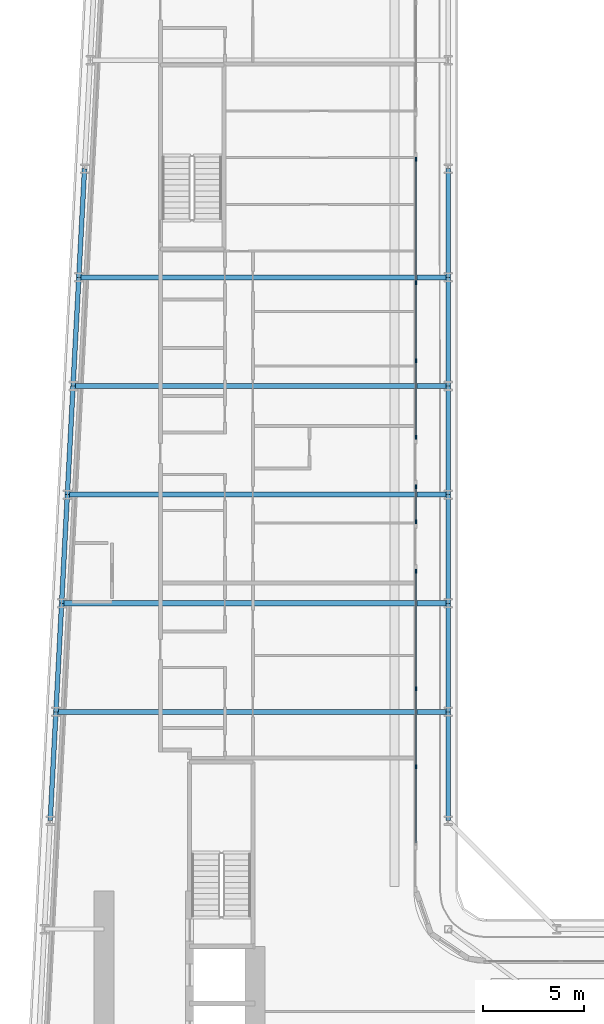
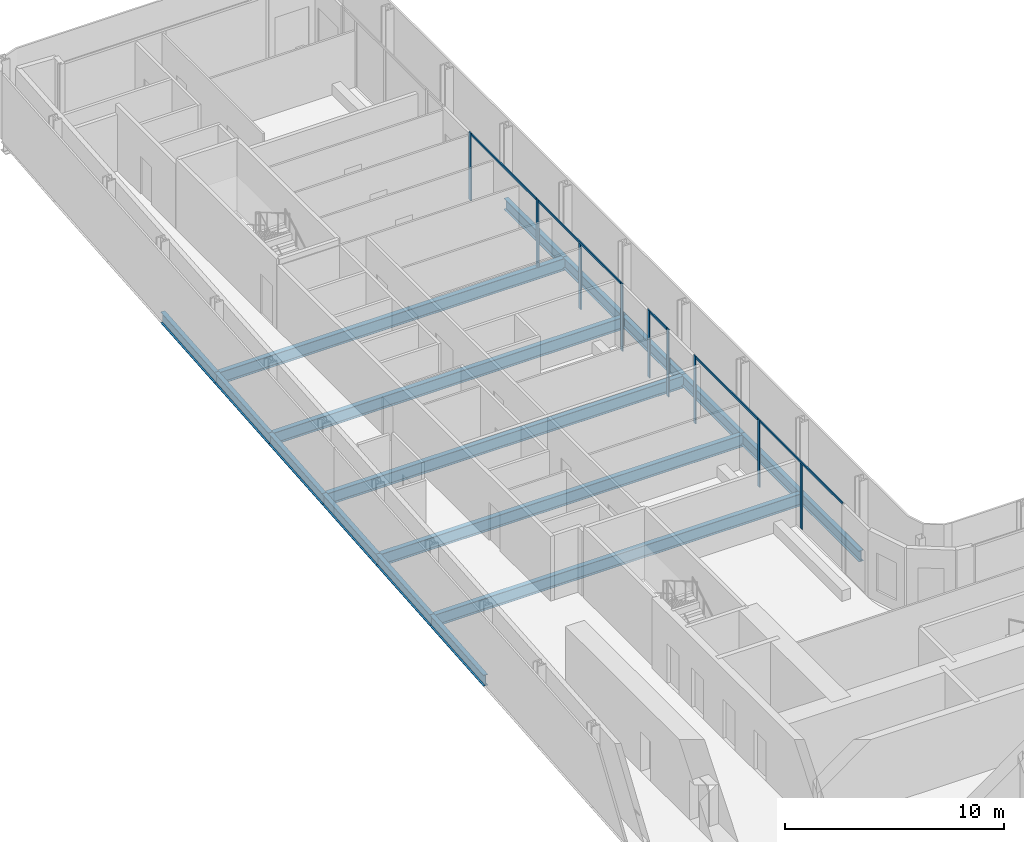
# One storey, part 7 of 24: 17 beams, 14 members, 5 elements without a shape of their own.
"""IFC4 building model written with IfcOpenShell, lengths in metres."""

from ifc_helpers import new_model, si_unit, direction, frame, origin, origin_2d, place, context, subcontext, project, spatial, rectangle, i_section, extrude, material, layer, layer_set, material_profile, profile_set, type_object, element, aggregate, save


model = new_model("IFC4")

# Units and contexts
model_context = context("Model", 3, precision=1e-05, world=origin(), true_north=direction((0.0, 1.0)))
body_context = subcontext(model_context, "Body", "Model", "MODEL_VIEW")
ifc_project = project(units=[si_unit("LENGTHUNIT", "METRE"), si_unit("AREAUNIT", "SQUARE_METRE"), si_unit("VOLUMEUNIT", "CUBIC_METRE"), si_unit("PLANEANGLEUNIT", "RADIAN"), si_unit("MASSUNIT", "GRAM", prefix="KILO")], contexts=[model_context])

# Site, building, storey
site_placement = place(None, origin())
site = spatial("IfcSite", under=ifc_project, at=site_placement, CompositionType="ELEMENT")
building_placement = place(site_placement, origin())
building = spatial("IfcBuilding", under=site, at=building_placement, Name="Kheshtan School and Residences Tower", CompositionType="ELEMENT")
storey_placement = place(building_placement, frame((0.0, 0.0, 38.300048828125)))
storey = spatial("IfcBuildingStorey", under=building, at=storey_placement, Name="L08", CompositionType="ELEMENT", Elevation=38.300048828125)

# Beams
ifc_material_1 = material(Name="Steel ASTM A992 Grade 50", Category="steel")
ifc_material_profile_1 = material_profile(ifc_material_1, i_section(OverallWidth=0.2529296875, OverallDepth=0.677978515625, WebThickness=0.01171875, FlangeThickness=0.016357421875, FilletRadius=0.0146484375, at=origin_2d()), Name="W690x125")
ifc_profile_set_1 = profile_set([ifc_material_profile_1], Name="Steel ASTM A992 Grade 50")
beam_type_1 = type_object("IfcBeamType", Name="Beam FB6 W690x125 ASTM A992 Grade 50", PredefinedType="BEAM", material=ifc_profile_set_1)
beam_1_placement = place(storey_placement, frame((47.60009765625, 72.60009765625, -0.489013671875), z_axis=(-1.0, 0.0, 0.0), x_axis=(0.0, -1.0, 0.0)))
element("IfcBeam", 1, at=beam_1_placement, inside=storey, type_object=beam_type_1, Name="Floor beam C087", PredefinedType="BEAM", context=body_context, shape_type="SweptSolid", body=[
    extrude(i_section(OverallWidth=0.2529296875, OverallDepth=0.677978515625, WebThickness=0.01171875, FlangeThickness=0.016357421875, FilletRadius=0.0146484375, at=origin_2d()), origin(), (0.0, 0.0, 1.0), 18.64208984375),
])
beam_2_placement = place(storey_placement, frame((47.60009765625, 61.800048828125, -0.489013671875), z_axis=(-1.0, 0.0, 0.0), x_axis=(0.0, -1.0, 0.0)))
element("IfcBeam", 2, at=beam_2_placement, inside=storey, type_object=beam_type_1, Name="Floor beam C083", PredefinedType="BEAM", context=body_context, shape_type="SweptSolid", body=[
    extrude(i_section(OverallWidth=0.2529296875, OverallDepth=0.677978515625, WebThickness=0.01171875, FlangeThickness=0.016357421875, FilletRadius=0.0146484375, at=origin_2d()), origin(), (0.0, 0.0, 1.0), 19.210205078125),
])
beam_3_placement = place(storey_placement, frame((28.10595703125, 56.39990234375, -0.489013671875), z_axis=(1.0, 0.0, 0.0), x_axis=(0.0, 1.0, 0.0)))
element("IfcBeam", 3, at=beam_3_placement, inside=storey, type_object=beam_type_1, Name="Floor beam C080", PredefinedType="BEAM", context=body_context, shape_type="SweptSolid", body=[
    extrude(i_section(OverallWidth=0.2529296875, OverallDepth=0.677978515625, WebThickness=0.01171875, FlangeThickness=0.016357421875, FilletRadius=0.0146484375, at=origin_2d()), origin(), (0.0, 0.0, 1.0), 19.494140625),
])
beam_4_placement = place(storey_placement, frame((28.674072265625, 67.199951171875, -0.489013671875), z_axis=(1.0, 0.0, 0.0), x_axis=(0.0, 1.0, 0.0)))
element("IfcBeam", 4, at=beam_4_placement, inside=storey, type_object=beam_type_1, Name="Floor beam C084", PredefinedType="BEAM", context=body_context, shape_type="SweptSolid", body=[
    extrude(i_section(OverallWidth=0.2529296875, OverallDepth=0.677978515625, WebThickness=0.01171875, FlangeThickness=0.016357421875, FilletRadius=0.0146484375, at=origin_2d()), origin(), (0.0, 0.0, 1.0), 18.926025390625),
])
beam_5_placement = place(storey_placement, frame((29.242919921875, 78.0, -0.489013671875), z_axis=(1.0, 0.0, 0.0), x_axis=(0.0, 1.0, 0.0)))
element("IfcBeam", 5, at=beam_5_placement, inside=storey, type_object=beam_type_1, Name="Floor beam C088", PredefinedType="BEAM", context=body_context, shape_type="SweptSolid", body=[
    extrude(i_section(OverallWidth=0.2529296875, OverallDepth=0.677978515625, WebThickness=0.01171875, FlangeThickness=0.016357421875, FilletRadius=0.0146484375, at=origin_2d()), origin(), (0.0, 0.0, 1.0), 18.357177734375),
])
ifc_material_profile_2 = material_profile(ifc_material_1, i_section(OverallWidth=0.22998046875, OverallDepth=0.616943359375, WebThickness=0.01318359375, FlangeThickness=0.022216796875, FilletRadius=0.0185546875, at=origin_2d()), Name="W610x140")
ifc_profile_set_2 = profile_set([ifc_material_profile_2], Name="Steel ASTM A992 Grade 50")
beam_type_2 = type_object("IfcBeamType", Name="Beam SP1 W610x140 ASTM A992 Grade 50", PredefinedType="BEAM", material=ifc_profile_set_2)
for number, where, z_axis, x_axis, name in (
    (6, (47.60009765625, 83.39990234375, -0.45849609375), (0.0, -1.0, 0.0), (1.0, 0.0, 0.0), "Spandrel beam C091-C089"),
    (7, (47.60009765625, 78.0, -0.45849609375), (0.0, -1.0, 0.0), (1.0, 0.0, 0.0), "Spandrel beam C089-C087"),
):
    element("IfcBeam", number, at=place(storey_placement, frame(where, z_axis=z_axis, x_axis=x_axis)), inside=storey, type_object=beam_type_2, Name=name, PredefinedType="BEAM", context=body_context, shape_type="SweptSolid", body=[
        extrude(i_section(OverallWidth=0.22998046875, OverallDepth=0.616943359375, WebThickness=0.01318359375, FlangeThickness=0.022216796875, FilletRadius=0.0185546875, at=origin_2d()), origin(), (0.0, 0.0, 1.0), 5.39990234375),
    ])
beam_6_placement = place(storey_placement, frame((47.60009765625, 72.60009765625, -0.45849609375), z_axis=(0.0, -1.0, 0.0), x_axis=(1.0, 0.0, 0.0)))
element("IfcBeam", 8, at=beam_6_placement, inside=storey, type_object=beam_type_2, Name="Spandrel beam C087-C085", PredefinedType="BEAM", context=body_context, shape_type="SweptSolid", body=[
    extrude(i_section(OverallWidth=0.22998046875, OverallDepth=0.616943359375, WebThickness=0.01318359375, FlangeThickness=0.022216796875, FilletRadius=0.0185546875, at=origin_2d()), origin(), (0.0, 0.0, 1.0), 5.400146484375),
])
beam_7_placement = place(storey_placement, frame((47.60009765625, 67.199951171875, -0.45849609375), z_axis=(0.0, -1.0, 0.0), x_axis=(1.0, 0.0, 0.0)))
element("IfcBeam", 9, at=beam_7_placement, inside=storey, type_object=beam_type_2, Name="Spandrel beam C085-C083", PredefinedType="BEAM", context=body_context, shape_type="SweptSolid", body=[
    extrude(i_section(OverallWidth=0.22998046875, OverallDepth=0.616943359375, WebThickness=0.01318359375, FlangeThickness=0.022216796875, FilletRadius=0.0185546875, at=origin_2d()), origin(), (0.0, 0.0, 1.0), 5.39990234375),
])
beam_8_placement = place(storey_placement, frame((47.60009765625, 61.800048828125, -0.45849609375), z_axis=(0.0, -1.0, 0.0), x_axis=(1.0, 0.0, 0.0)))
element("IfcBeam", 10, at=beam_8_placement, inside=storey, type_object=beam_type_2, Name="Spandrel beam C083-C081", PredefinedType="BEAM", context=body_context, shape_type="SweptSolid", body=[
    extrude(i_section(OverallWidth=0.22998046875, OverallDepth=0.616943359375, WebThickness=0.01318359375, FlangeThickness=0.022216796875, FilletRadius=0.0185546875, at=origin_2d()), origin(), (0.0, 0.0, 1.0), 5.400146484375),
])
beam_9_placement = place(storey_placement, frame((47.60009765625, 56.39990234375, -0.45849609375), z_axis=(0.0, -1.0, 0.0), x_axis=(1.0, 0.0, 0.0)))
element("IfcBeam", 11, at=beam_9_placement, inside=storey, type_object=beam_type_2, Name="Spandrel beam C081-C079", PredefinedType="BEAM", context=body_context, shape_type="SweptSolid", body=[
    extrude(i_section(OverallWidth=0.22998046875, OverallDepth=0.616943359375, WebThickness=0.01318359375, FlangeThickness=0.022216796875, FilletRadius=0.0185546875, at=origin_2d()), origin(), (0.0, 0.0, 1.0), 5.39990234375),
])
beam_10_placement = place(storey_placement, frame((27.822021484375, 51.0, -0.45849609375), z_axis=(0.05250906864, 0.998620447272, 0.0), x_axis=(-0.998620447272, 0.05250906864, 0.0)))
element("IfcBeam", 12, at=beam_10_placement, inside=storey, type_object=beam_type_2, Name="Spandrel beam C078-C080", PredefinedType="BEAM", context=body_context, shape_type="SweptSolid", body=[
    extrude(i_section(OverallWidth=0.22998046875, OverallDepth=0.616943359375, WebThickness=0.01318359375, FlangeThickness=0.022216796875, FilletRadius=0.0185546875, at=origin_2d()), origin(), (0.0, 0.0, 1.0), 5.407470703125),
])
beam_11_placement = place(storey_placement, frame((28.10595703125, 56.39990234375, -0.45849609375), z_axis=(0.05250670125, 0.998620571751, 0.0), x_axis=(-0.998620571751, 0.05250670125, 0.0)))
element("IfcBeam", 13, at=beam_11_placement, inside=storey, type_object=beam_type_2, Name="Spandrel beam C080-C082", PredefinedType="BEAM", context=body_context, shape_type="SweptSolid", body=[
    extrude(i_section(OverallWidth=0.22998046875, OverallDepth=0.616943359375, WebThickness=0.01318359375, FlangeThickness=0.022216796875, FilletRadius=0.0185546875, at=origin_2d()), origin(), (0.0, 0.0, 1.0), 5.40771484375),
])
beam_12_placement = place(storey_placement, frame((28.389892578125, 61.800048828125, -0.45849609375), z_axis=(0.052554093665, 0.998618078766, 0.0), x_axis=(-0.998618078766, 0.052554093665, 0.0)))
element("IfcBeam", 14, at=beam_12_placement, inside=storey, type_object=beam_type_2, Name="Spandrel beam C082-C084", PredefinedType="BEAM", context=body_context, shape_type="SweptSolid", body=[
    extrude(i_section(OverallWidth=0.22998046875, OverallDepth=0.616943359375, WebThickness=0.01318359375, FlangeThickness=0.022216796875, FilletRadius=0.0185546875, at=origin_2d()), origin(), (0.0, 0.0, 1.0), 5.407470703125),
])
beam_13_placement = place(storey_placement, frame((28.674072265625, 67.199951171875, -0.45849609375), z_axis=(0.05250670125, 0.998620571751, 0.0), x_axis=(-0.998620571751, 0.05250670125, 0.0)))
element("IfcBeam", 15, at=beam_13_placement, inside=storey, type_object=beam_type_2, Name="Spandrel beam C084-C086", PredefinedType="BEAM", context=body_context, shape_type="SweptSolid", body=[
    extrude(i_section(OverallWidth=0.22998046875, OverallDepth=0.616943359375, WebThickness=0.01318359375, FlangeThickness=0.022216796875, FilletRadius=0.0185546875, at=origin_2d()), origin(), (0.0, 0.0, 1.0), 5.40771484375),
])
for number, where, z_axis, x_axis, name in (
    (16, (28.9580078125, 72.60009765625, -0.45849609375), (0.052689166816, 0.998610961136, 0.0), (-0.998610961136, 0.052689166816, 0.0), "Spandrel beam C086-C088"),
    (17, (29.242919921875, 78.0, -0.45849609375), (0.052554093665, 0.998618078766, 0.0), (-0.998618078766, 0.052554093665, 0.0), "Spandrel beam C088-C090"),
):
    element("IfcBeam", number, at=place(storey_placement, frame(where, z_axis=z_axis, x_axis=x_axis)), inside=storey, type_object=beam_type_2, Name=name, PredefinedType="BEAM", context=body_context, shape_type="SweptSolid", body=[
        extrude(i_section(OverallWidth=0.22998046875, OverallDepth=0.616943359375, WebThickness=0.01318359375, FlangeThickness=0.022216796875, FilletRadius=0.0185546875, at=origin_2d()), origin(), (0.0, 0.0, 1.0), 5.407470703125),
    ])

# Curtain wall, members
ifc_material_2 = material(Name="Clear low-e glass in thermally broken aluminium frame", Category="aluminium")
ifc_layer = layer(ifc_material_2, 0.199951171875)
ifc_layer_set = layer_set([ifc_layer], Name="Curtain wall CW-L")
curtain_wall_type = type_object("IfcCurtainWallType", Name="Curtain wall CW-L", PredefinedType="NOTDEFINED", material=ifc_layer_set)
curtain_wall_1_placement = place(storey_placement, origin())
curtain_wall_1 = element("IfcCurtainWall", 18, at=curtain_wall_1_placement, inside=storey, type_object=curtain_wall_type, Name="Curtain wall CWL8d", PredefinedType="NOTDEFINED")
ifc_material_3 = material(Name="Thermally broken aluminium, dark bronze anodised", Category="aluminium")
ifc_material_profile_3 = material_profile(ifc_material_3, rectangle(XDim=0.06005859375, YDim=0.199951171875, at=origin_2d()), Name="CW-L mullion 60x200")
ifc_profile_set_3 = profile_set([ifc_material_profile_3], Name="Thermally broken aluminium, dark bronze anodised")
member_type_1 = type_object("IfcMemberType", Name="CW-L mullion 60x200", PredefinedType="MULLION", material=ifc_profile_set_3)
member_1_placement = place(storey_placement, frame((46.0, 83.8759765625, 0.0), z_axis=(0.0, 0.0, 1.0), x_axis=(1.0, 0.0, 0.0)))
member_1 = element("IfcMember", 19, at=member_1_placement, type_object=member_type_1, Name="CWL8d mullion 1", PredefinedType="MULLION", context=body_context, shape_type="SweptSolid", body=[
    extrude(rectangle(XDim=0.06005859375, YDim=0.199951171875, at=origin_2d()), origin(), (0.0, 0.0, 1.0), 3.75),
])
member_2_placement = place(storey_placement, frame((46.0, 77.741943359375, 0.0), z_axis=(0.0, 0.0, 1.0), x_axis=(1.0, 0.0, 0.0)))
member_2 = element("IfcMember", 20, at=member_2_placement, type_object=member_type_1, Name="CWL8d mullion 2", PredefinedType="MULLION", context=body_context, shape_type="SweptSolid", body=[
    extrude(rectangle(XDim=0.06005859375, YDim=0.199951171875, at=origin_2d()), origin(), (0.0, 0.0, 1.0), 3.75),
])

curtain_wall_2_placement = place(storey_placement, origin())
curtain_wall_2 = element("IfcCurtainWall", 21, at=curtain_wall_2_placement, inside=storey, type_object=curtain_wall_type, Name="Curtain wall CWL8", PredefinedType="NOTDEFINED")
member_3_placement = place(storey_placement, frame((46.0, 73.864990234375, 0.0), z_axis=(0.0, 0.0, 1.0), x_axis=(1.0, 0.0, 0.0)))
member_3 = element("IfcMember", 22, at=member_3_placement, type_object=member_type_1, Name="CWL8 mullion 2", PredefinedType="MULLION", context=body_context, shape_type="SweptSolid", body=[
    extrude(rectangle(XDim=0.06005859375, YDim=0.199951171875, at=origin_2d()), origin(), (0.0, 0.0, 1.0), 3.6298828125),
])
member_4_placement = place(storey_placement, frame((46.0, 70.048095703125, 0.0), z_axis=(0.0, 0.0, 1.0), x_axis=(1.0, 0.0, 0.0)))
member_4 = element("IfcMember", 23, at=member_4_placement, type_object=member_type_1, Name="CWL8 mullion 3", PredefinedType="MULLION", context=body_context, shape_type="SweptSolid", body=[
    extrude(rectangle(XDim=0.06005859375, YDim=0.199951171875, at=origin_2d()), origin(), (0.0, 0.0, 1.0), 3.75),
])

curtain_wall_3_placement = place(storey_placement, origin())
curtain_wall_3 = element("IfcCurtainWall", 24, at=curtain_wall_3_placement, inside=storey, type_object=curtain_wall_type, Name="Curtain wall CWL8e", PredefinedType="NOTDEFINED")
member_5_placement = place(storey_placement, frame((46.0, 67.587890625, 0.0), z_axis=(0.0, 0.0, 1.0), x_axis=(1.0, 0.0, 0.0)))
member_5 = element("IfcMember", 25, at=member_5_placement, type_object=member_type_1, Name="CWL8e mullion 1", PredefinedType="MULLION", context=body_context, shape_type="SweptSolid", body=[
    extrude(rectangle(XDim=0.06005859375, YDim=0.199951171875, at=origin_2d()), origin(), (0.0, 0.0, 1.0), 3.75),
])
member_6_placement = place(storey_placement, frame((46.0, 65.847900390625, 0.0), z_axis=(0.0, 0.0, 1.0), x_axis=(1.0, 0.0, 0.0)))
member_6 = element("IfcMember", 26, at=member_6_placement, type_object=member_type_1, Name="CWL8e mullion 2", PredefinedType="MULLION", context=body_context, shape_type="SweptSolid", body=[
    extrude(rectangle(XDim=0.06005859375, YDim=0.199951171875, at=origin_2d()), origin(), (0.0, 0.0, 1.0), 3.75),
])

curtain_wall_4_placement = place(storey_placement, origin())
curtain_wall_4 = element("IfcCurtainWall", 27, at=curtain_wall_4_placement, inside=storey, type_object=curtain_wall_type, Name="Curtain wall CWL8f", PredefinedType="NOTDEFINED")
member_7_placement = place(storey_placement, frame((46.0, 63.387939453125, 0.0), z_axis=(0.0, 0.0, 1.0), x_axis=(1.0, 0.0, 0.0)))
member_7 = element("IfcMember", 28, at=member_7_placement, type_object=member_type_1, Name="CWL8f mullion 1", PredefinedType="MULLION", context=body_context, shape_type="SweptSolid", body=[
    extrude(rectangle(XDim=0.06005859375, YDim=0.199951171875, at=origin_2d()), origin(), (0.0, 0.0, 1.0), 3.75),
])
member_8_placement = place(storey_placement, frame((46.0, 57.553955078125, 0.0), z_axis=(0.0, 0.0, 1.0), x_axis=(1.0, 0.0, 0.0)))
member_8 = element("IfcMember", 29, at=member_8_placement, type_object=member_type_1, Name="CWL8f mullion 2", PredefinedType="MULLION", context=body_context, shape_type="SweptSolid", body=[
    extrude(rectangle(XDim=0.06005859375, YDim=0.199951171875, at=origin_2d()), origin(), (0.0, 0.0, 1.0), 3.75),
])

# Curtain wall, member
curtain_wall_5_placement = place(storey_placement, origin())
curtain_wall_5 = element("IfcCurtainWall", 30, at=curtain_wall_5_placement, inside=storey, type_object=curtain_wall_type, Name="Curtain wall CWL8", PredefinedType="NOTDEFINED")
member_9_placement = place(storey_placement, frame((46.0, 53.677001953125, 0.0), z_axis=(0.0, 0.0, 1.0), x_axis=(1.0, 0.0, 0.0)))
member_9 = element("IfcMember", 31, at=member_9_placement, type_object=member_type_1, Name="CWL8 mullion 2", PredefinedType="MULLION", context=body_context, shape_type="SweptSolid", body=[
    extrude(rectangle(XDim=0.06005859375, YDim=0.199951171875, at=origin_2d()), origin(), (0.0, 0.0, 1.0), 3.6298828125),
])

# Member
ifc_material_profile_4 = material_profile(ifc_material_3, rectangle(XDim=0.06005859375, YDim=0.1201171875, at=origin_2d()), Name="CW-L transom 60x120")
ifc_profile_set_4 = profile_set([ifc_material_profile_4], Name="Thermally broken aluminium, dark bronze anodised")
member_type_2 = type_object("IfcMemberType", Name="CW-L transom 60x120", PredefinedType="USERDEFINED", material=ifc_profile_set_4)
member_10_placement = place(storey_placement, frame((46.0, 83.845947265625, 3.68994140625), z_axis=(0.0, -1.0, 0.0), x_axis=(1.0, 0.0, 0.0)))
member_10 = element("IfcMember", 32, at=member_10_placement, type_object=member_type_2, Name="CWL8d transom 1", ObjectType="TRANSOM", PredefinedType="USERDEFINED", context=body_context, shape_type="SweptSolid", body=[
    extrude(rectangle(XDim=0.06005859375, YDim=0.1201171875, at=origin_2d()), origin(), (0.0, 0.0, 1.0), 6.073974609375),
])

aggregate(curtain_wall_1, [member_1, member_2, member_10])

member_11_placement = place(storey_placement, frame((46.0, 77.7119140625, 3.68994140625), z_axis=(0.0, -1.0, 0.0), x_axis=(1.0, 0.0, 0.0)))
member_11 = element("IfcMember", 33, at=member_11_placement, type_object=member_type_2, Name="CWL8 transom 1", ObjectType="TRANSOM", PredefinedType="USERDEFINED", context=body_context, shape_type="SweptSolid", body=[
    extrude(rectangle(XDim=0.06005859375, YDim=0.1201171875, at=origin_2d()), origin(), (0.0, 0.0, 1.0), 7.634033203125),
])

aggregate(curtain_wall_2, [member_3, member_4, member_11])

member_12_placement = place(storey_placement, frame((46.0, 67.55810546875, 3.68994140625), z_axis=(0.0, -1.0, 0.0), x_axis=(1.0, 0.0, 0.0)))
member_12 = element("IfcMember", 34, at=member_12_placement, type_object=member_type_2, Name="CWL8e transom 1", ObjectType="TRANSOM", PredefinedType="USERDEFINED", context=body_context, shape_type="SweptSolid", body=[
    extrude(rectangle(XDim=0.06005859375, YDim=0.1201171875, at=origin_2d()), origin(), (0.0, 0.0, 1.0), 1.68017578125),
])

aggregate(curtain_wall_3, [member_5, member_6, member_12])

member_13_placement = place(storey_placement, frame((46.0, 63.35791015625, 3.68994140625), z_axis=(0.0, -1.0, 0.0), x_axis=(1.0, 0.0, 0.0)))
member_13 = element("IfcMember", 35, at=member_13_placement, type_object=member_type_2, Name="CWL8f transom 1", ObjectType="TRANSOM", PredefinedType="USERDEFINED", context=body_context, shape_type="SweptSolid", body=[
    extrude(rectangle(XDim=0.06005859375, YDim=0.1201171875, at=origin_2d()), origin(), (0.0, 0.0, 1.0), 5.77392578125),
])

aggregate(curtain_wall_4, [member_7, member_8, member_13])

member_14_placement = place(storey_placement, frame((46.0, 57.52392578125, 3.68994140625), z_axis=(0.0, -1.0, 0.0), x_axis=(1.0, 0.0, 0.0)))
member_14 = element("IfcMember", 36, at=member_14_placement, type_object=member_type_2, Name="CWL8 transom 1", ObjectType="TRANSOM", PredefinedType="USERDEFINED", context=body_context, shape_type="SweptSolid", body=[
    extrude(rectangle(XDim=0.06005859375, YDim=0.1201171875, at=origin_2d()), origin(), (0.0, 0.0, 1.0), 7.634033203125),
])

aggregate(curtain_wall_5, [member_9, member_14])

save(model, "model.ifc")
